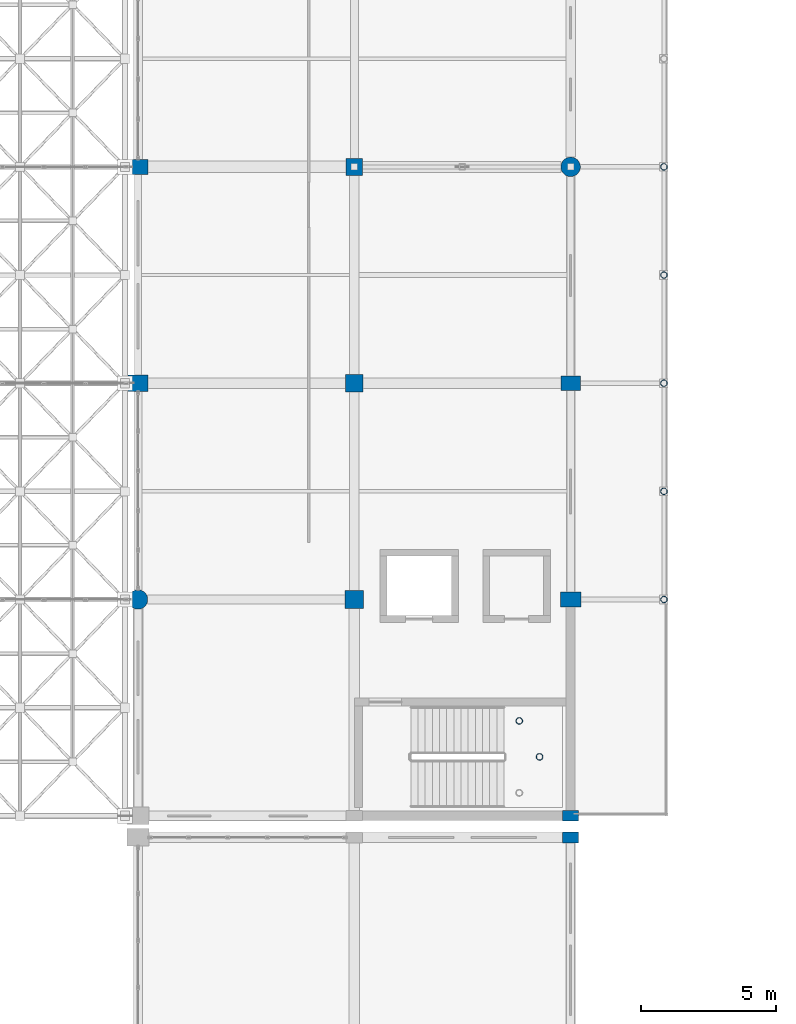
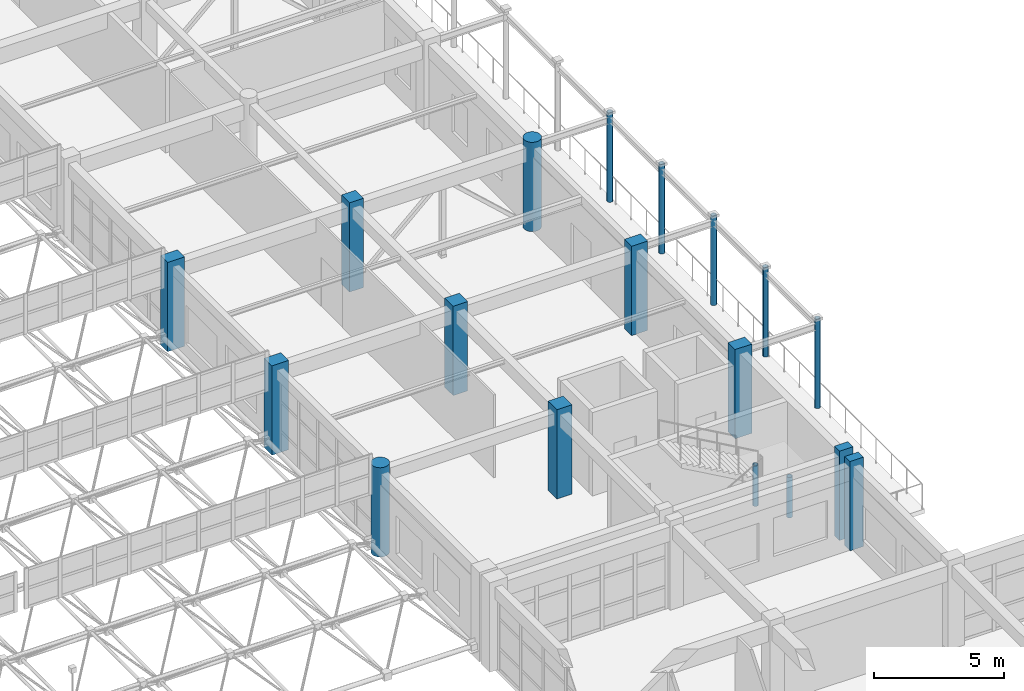
# One storey, part 5 of 195: 18 columns.
"""IFC4 building model written with IfcOpenShell, lengths in metres."""

from ifc_helpers import new_model, si_unit, direction, frame, origin, origin_2d, place, context, subcontext, project, spatial, rectangle, circle, hollow_circle, extrude, material, material_profile, profile_set, type_object, element, save


model = new_model("IFC4")

# Units and contexts
model_context = context("Model", 3, precision=1e-05, world=origin(), true_north=direction((0.0, 1.0)))
body_context = subcontext(model_context, "Body", "Model", "MODEL_VIEW")
ifc_project = project(units=[si_unit("LENGTHUNIT", "METRE"), si_unit("AREAUNIT", "SQUARE_METRE"), si_unit("VOLUMEUNIT", "CUBIC_METRE"), si_unit("PLANEANGLEUNIT", "RADIAN"), si_unit("MASSUNIT", "GRAM", prefix="KILO")], contexts=[model_context])

# Site, building, storey
site_placement = place(None, origin())
site = spatial("IfcSite", under=ifc_project, at=site_placement, CompositionType="ELEMENT")
building_placement = place(site_placement, origin())
building = spatial("IfcBuilding", under=site, at=building_placement, Name="Kharva Crest Polytechnic", CompositionType="ELEMENT")
storey_placement = place(building_placement, frame((0.0, 0.0, 9.0)))
storey = spatial("IfcBuildingStorey", under=building, at=storey_placement, Name="L02", CompositionType="ELEMENT", Elevation=9.0)

# Columns
ifc_material_1 = material(Name="Concrete C40/50", Category="concrete")
ifc_material_profile_1 = material_profile(ifc_material_1, rectangle(XDim=0.60009765625, YDim=0.39990234375, at=origin_2d()), Name="RECT 600 X 400")
ifc_profile_set_1 = profile_set([ifc_material_profile_1], Name="Concrete C40/50")
column_type_1 = type_object("IfcColumnType", Name="COL-EXT-600X400", PredefinedType="COLUMN", material=ifc_profile_set_1)
for number, where, z_axis, x_axis, name in (
    (1, (48.0, 38.0, 0.0), (0.0, 0.0, 1.0), (1.0, 0.0, 0.0), "L02 Column 7/F"),
    (2, (48.0, 38.800048828125, 0.0), (0.0, 0.0, 1.0), (1.0, 0.0, 0.0), "L02 Column 7/FJ"),
):
    element("IfcColumn", number, at=place(storey_placement, frame(where, z_axis=z_axis, x_axis=x_axis)), inside=storey, type_object=column_type_1, Name=name, PredefinedType="COLUMN", context=body_context, shape_type="SweptSolid", body=[
        extrude(rectangle(XDim=0.60009765625, YDim=0.39990234375, at=origin_2d()), origin(), (0.0, 0.0, 1.0), 4.199951171875),
    ])
ifc_material_profile_2 = material_profile(ifc_material_1, rectangle(XDim=0.719970703125, YDim=0.550048828125, at=origin_2d()), Name="RECT 720 X 550")
ifc_profile_set_2 = profile_set([ifc_material_profile_2], Name="Concrete C40/50")
column_type_2 = type_object("IfcColumnType", Name="COL-EXT-720X550", PredefinedType="COLUMN", material=ifc_profile_set_2)
column_1_placement = place(storey_placement, frame((48.0, 54.800048828125, 0.0), z_axis=(0.0, 0.0, 1.0), x_axis=(1.0, 0.0, 0.0)))
element("IfcColumn", 3, at=column_1_placement, inside=storey, type_object=column_type_2, Name="L02 Column 7/H", PredefinedType="COLUMN", context=body_context, shape_type="SweptSolid", body=[
    extrude(rectangle(XDim=0.719970703125, YDim=0.550048828125, at=origin_2d()), origin(), (0.0, 0.0, 1.0), 4.199951171875),
])
ifc_material_profile_3 = material_profile(ifc_material_1, rectangle(XDim=0.75, YDim=0.550048828125, at=origin_2d()), Name="RECT 750 X 550")
ifc_profile_set_3 = profile_set([ifc_material_profile_3], Name="Concrete C40/50")
column_type_3 = type_object("IfcColumnType", Name="COL-EXT-750X550", PredefinedType="COLUMN", material=ifc_profile_set_3)
for number, where, z_axis, x_axis, name in (
    (4, (32.0, 62.800048828125, 0.0), (0.0, 0.0, 1.0), (1.0, 0.0, 0.0), "L02 Column 5/J"),
    (5, (48.0, 46.800048828125, 0.0), (0.0, 0.0, 1.0), (1.0, 0.0, 0.0), "L02 Column 7/G"),
):
    element("IfcColumn", number, at=place(storey_placement, frame(where, z_axis=z_axis, x_axis=x_axis)), inside=storey, type_object=column_type_3, Name=name, PredefinedType="COLUMN", context=body_context, shape_type="SweptSolid", body=[
        extrude(rectangle(XDim=0.75, YDim=0.550048828125, at=origin_2d()), origin(), (0.0, 0.0, 1.0), 4.199951171875),
    ])
ifc_material_profile_4 = material_profile(ifc_material_1, rectangle(XDim=0.75, YDim=0.60009765625, at=origin_2d()), Name="RECT 750 X 600")
ifc_profile_set_4 = profile_set([ifc_material_profile_4], Name="Concrete C40/50")
column_type_4 = type_object("IfcColumnType", Name="COL-EXT-750X600", PredefinedType="COLUMN", material=ifc_profile_set_4)
column_2_placement = place(storey_placement, frame((32.0, 54.800048828125, 0.0), z_axis=(0.0, 0.0, 1.0), x_axis=(1.0, 0.0, 0.0)))
element("IfcColumn", 6, at=column_2_placement, inside=storey, type_object=column_type_4, Name="L02 Column 5/H", PredefinedType="COLUMN", context=body_context, shape_type="SweptSolid", body=[
    extrude(rectangle(XDim=0.75, YDim=0.60009765625, at=origin_2d()), origin(), (0.0, 0.0, 1.0), 4.199951171875),
])
ifc_material_profile_5 = material_profile(ifc_material_1, circle(Radius=0.360107421875, at=origin_2d()), Name="DIA 720")
ifc_profile_set_5 = profile_set([ifc_material_profile_5], Name="Concrete C40/50")
column_type_5 = type_object("IfcColumnType", Name="COL-EXT-DIA720", PredefinedType="COLUMN", material=ifc_profile_set_5)
for number, where, z_axis, x_axis, name in (
    (7, (32.0, 46.800048828125, 0.0), (0.0, 0.0, 1.0), (1.0, 0.0, 0.0), "L02 Column 5/G"),
    (8, (48.0, 62.800048828125, 0.0), (0.0, 0.0, 1.0), (1.0, 0.0, 0.0), "L02 Column 7/J"),
):
    element("IfcColumn", number, at=place(storey_placement, frame(where, z_axis=z_axis, x_axis=x_axis)), inside=storey, type_object=column_type_5, Name=name, PredefinedType="COLUMN", context=body_context, shape_type="SweptSolid", body=[
        extrude(circle(Radius=0.360107421875, at=origin_2d()), origin(), (0.0, 0.0, 1.0), 4.199951171875),
    ])
ifc_material_profile_6 = material_profile(ifc_material_1, rectangle(XDim=0.6201171875, YDim=0.6201171875, at=origin_2d()), Name="RECT 620 X 620")
ifc_profile_set_6 = profile_set([ifc_material_profile_6], Name="Concrete C40/50")
column_type_6 = type_object("IfcColumnType", Name="COL-INT-620X620", PredefinedType="COLUMN", material=ifc_profile_set_6)
column_3_placement = place(storey_placement, frame((40.0, 62.800048828125, 0.0), z_axis=(0.0, 0.0, 1.0), x_axis=(1.0, 0.0, 0.0)))
element("IfcColumn", 9, at=column_3_placement, inside=storey, type_object=column_type_6, Name="L02 Column 6/J", PredefinedType="COLUMN", context=body_context, shape_type="SweptSolid", body=[
    extrude(rectangle(XDim=0.6201171875, YDim=0.6201171875, at=origin_2d()), origin(), (0.0, 0.0, 1.0), 4.199951171875),
])
ifc_material_profile_7 = material_profile(ifc_material_1, rectangle(XDim=0.64990234375, YDim=0.64990234375, at=origin_2d()), Name="RECT 650 X 650")
ifc_profile_set_7 = profile_set([ifc_material_profile_7], Name="Concrete C40/50")
column_type_7 = type_object("IfcColumnType", Name="COL-INT-650X650", PredefinedType="COLUMN", material=ifc_profile_set_7)
column_4_placement = place(storey_placement, frame((40.0, 54.800048828125, 0.0), z_axis=(0.0, 0.0, 1.0), x_axis=(1.0, 0.0, 0.0)))
element("IfcColumn", 10, at=column_4_placement, inside=storey, type_object=column_type_7, Name="L02 Column 6/H", PredefinedType="COLUMN", context=body_context, shape_type="SweptSolid", body=[
    extrude(rectangle(XDim=0.64990234375, YDim=0.64990234375, at=origin_2d()), origin(), (0.0, 0.0, 1.0), 4.199951171875),
])
ifc_material_profile_8 = material_profile(ifc_material_1, rectangle(XDim=0.679931640625, YDim=0.679931640625, at=origin_2d()), Name="RECT 680 X 680")
ifc_profile_set_8 = profile_set([ifc_material_profile_8], Name="Concrete C40/50")
column_type_8 = type_object("IfcColumnType", Name="COL-INT-680X680", PredefinedType="COLUMN", material=ifc_profile_set_8)
column_5_placement = place(storey_placement, frame((40.0, 46.800048828125, 0.0), z_axis=(0.0, 0.0, 1.0), x_axis=(1.0, 0.0, 0.0)))
element("IfcColumn", 11, at=column_5_placement, inside=storey, type_object=column_type_8, Name="L02 Column 6/G", PredefinedType="COLUMN", context=body_context, shape_type="SweptSolid", body=[
    extrude(rectangle(XDim=0.679931640625, YDim=0.679931640625, at=origin_2d()), origin(), (0.0, 0.0, 1.0), 4.199951171875),
])
ifc_material_2 = material(Name="Steel S355", Category="steel")
ifc_material_profile_9 = material_profile(ifc_material_2, hollow_circle(Radius=0.122314453125, WallThickness=0.010009765625, at=origin_2d()), Name="CHS 244.5X10.0")
ifc_profile_set_9 = profile_set([ifc_material_profile_9], Name="Steel S355")
column_type_9 = type_object("IfcColumnType", Name="COL-STL-CHS244", PredefinedType="COLUMN", material=ifc_profile_set_9)
for number, where, z_axis, x_axis, name in (
    (12, (51.449951171875, 46.800048828125, 0.0), (0.0, 0.0, 1.0), (1.0, 0.0, 0.0), "L02 Colonnade Column VW01"),
    (13, (51.449951171875, 54.800048828125, 0.0), (0.0, 0.0, 1.0), (1.0, 0.0, 0.0), "L02 Colonnade Column VW02"),
    (14, (51.449951171875, 62.800048828125, 0.0), (0.0, 0.0, 1.0), (1.0, 0.0, 0.0), "L02 Colonnade Column VW03"),
    (15, (51.449951171875, 50.800048828125, 0.0), (0.0, 0.0, 1.0), (1.0, 0.0, 0.0), "L02 Colonnade Mid Column VWM01"),
    (16, (51.449951171875, 58.800048828125, 0.0), (0.0, 0.0, 1.0), (1.0, 0.0, 0.0), "L02 Colonnade Mid Column VWM02"),
):
    element("IfcColumn", number, at=place(storey_placement, frame(where, z_axis=z_axis, x_axis=x_axis)), inside=storey, type_object=column_type_9, Name=name, PredefinedType="COLUMN", context=body_context, shape_type="SweptSolid", body=[
        extrude(hollow_circle(Radius=0.122314453125, WallThickness=0.010009765625, at=origin_2d()), origin(), (0.0, 0.0, 1.0), 4.199951171875),
    ])
for number, where, z_axis, x_axis, name in (
    (17, (46.10009765625, 42.31005859375, 0.0), (0.0, 0.0, 1.0), (1.0, 0.0, 0.0), "L02 Stair ST-02 Landing Support Column NW"),
    (18, (46.85009765625, 40.97998046875, 0.0), (0.0, 0.0, 1.0), (1.0, 0.0, 0.0), "L02 Stair ST-02 Landing Support Column EM"),
):
    element("IfcColumn", number, at=place(storey_placement, frame(where, z_axis=z_axis, x_axis=x_axis)), inside=storey, type_object=column_type_9, Name=name, PredefinedType="COLUMN", context=body_context, shape_type="SweptSolid", body=[
        extrude(hollow_circle(Radius=0.122314453125, WallThickness=0.010009765625, at=origin_2d()), origin(), (0.0, 0.0, 1.0), 1.89990234375),
    ])

save(model, "model.ifc")
